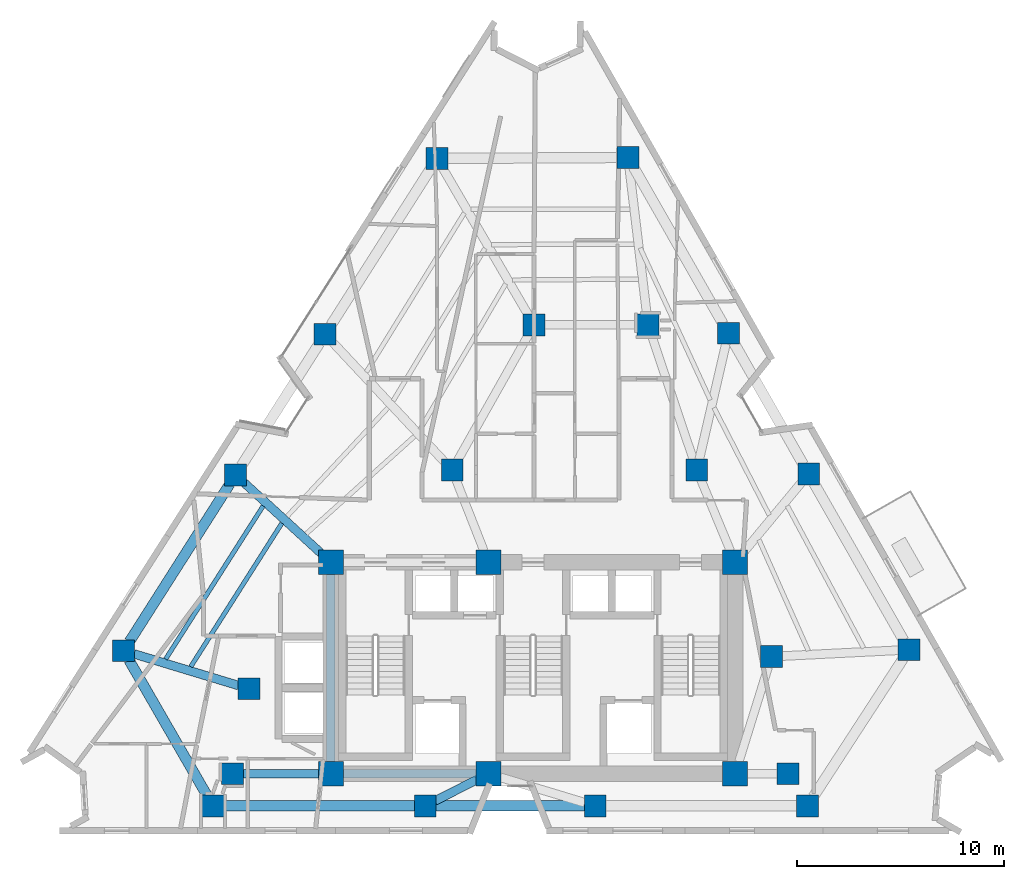
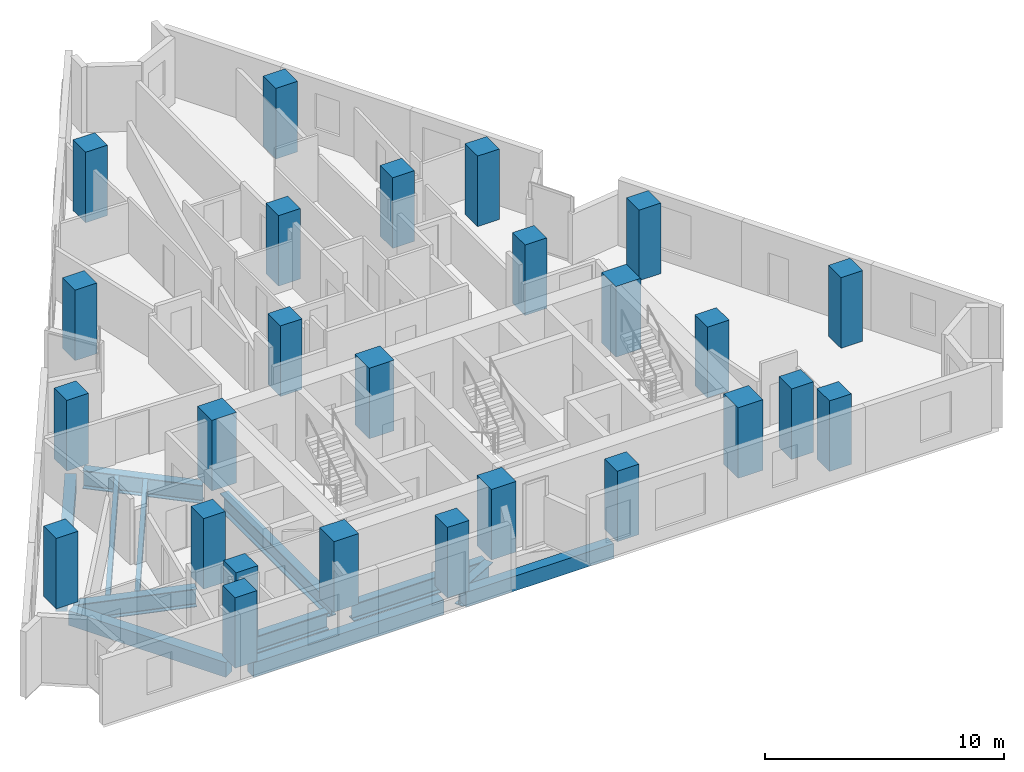
# One storey, part 1 of 11: 26 columns, 12 beams.
"""IFC4 building model written with IfcOpenShell, lengths in metres."""

from ifc_helpers import new_model, si_unit, direction, frame, origin, origin_2d, place, context, subcontext, project, spatial, rectangle, i_section, extrude, material, material_profile, profile_set, type_object, element, save


model = new_model("IFC4")

# Units and contexts
model_context = context("Model", 3, precision=1e-05, world=origin(), true_north=direction((0.0, 1.0)))
body_context = subcontext(model_context, "Body", "Model", "MODEL_VIEW")
ifc_project = project(units=[si_unit("LENGTHUNIT", "METRE"), si_unit("AREAUNIT", "SQUARE_METRE"), si_unit("VOLUMEUNIT", "CUBIC_METRE"), si_unit("PLANEANGLEUNIT", "RADIAN"), si_unit("MASSUNIT", "GRAM", prefix="KILO")], contexts=[model_context])

# Site, building, storey
site_placement = place(None, origin())
site = spatial("IfcSite", under=ifc_project, at=site_placement, CompositionType="ELEMENT")
building_placement = place(site_placement, origin())
building = spatial("IfcBuilding", under=site, at=building_placement, Name="Almagre Mirador Tower", CompositionType="ELEMENT")
storey_placement = place(building_placement, frame((0.0, 0.0, 146.39990234375)))
storey = spatial("IfcBuildingStorey", under=building, at=storey_placement, Name="L37", CompositionType="ELEMENT", Elevation=146.39990234375)

# Columns
ifc_material_1 = material(Name="Concrete C60/75", Category="concrete")
ifc_material_profile_1 = material_profile(ifc_material_1, rectangle(XDim=1.050048828125, YDim=1.050048828125, at=origin_2d()), Name="RC1050X1050")
ifc_profile_set_1 = profile_set([ifc_material_profile_1], Name="Concrete C60/75")
column_type_1 = type_object("IfcColumnType", Name="COL-RC1050", PredefinedType="COLUMN", material=ifc_profile_set_1)
for number, where, z_axis, x_axis, name in (
    (1, (22.800048828125, 4.550048828125, 0.0), (0.0, 0.0, 1.0), (1.0, 0.0, 0.0), "L37 interior transfer column MC1"),
    (2, (49.60009765625, 4.550048828125, 0.0), (0.0, 0.0, 1.0), (1.0, 0.0, 0.0), "L37 interior transfer column MC2"),
    (3, (48.800048828125, 10.199951171875, 0.0), (0.0, 0.0, 1.0), (1.0, 0.0, 0.0), "L37 interior transfer column MC3"),
    (4, (45.199951171875, 19.199951171875, 0.0), (0.0, 0.0, 1.0), (1.0, 0.0, 0.0), "L37 interior transfer column MC5"),
    (5, (42.85009765625, 26.199951171875, 0.0), (0.0, 0.0, 1.0), (1.0, 0.0, 0.0), "L37 interior transfer column MC6"),
    (6, (37.35009765625, 26.199951171875, 0.0), (0.0, 0.0, 1.0), (1.0, 0.0, 0.0), "L37 interior transfer column MC7"),
    (7, (33.39990234375, 19.199951171875, 0.0), (0.0, 0.0, 1.0), (1.0, 0.0, 0.0), "L37 interior transfer column MC8"),
    (8, (23.60009765625, 8.64990234375, 0.0), (0.0, 0.0, 1.0), (1.0, 0.0, 0.0), "L37 interior transfer column MC10"),
    (9, (21.864013671875, 3.0, 0.0), (0.0, 0.0, 1.0), (1.0, 0.0, 0.0), "L37 perimeter column PC01"),
    (10, (32.10400390625, 3.0, 0.0), (0.0, 0.0, 1.0), (1.0, 0.0, 0.0), "L37 perimeter column PC02"),
    (11, (40.2958984375, 3.0, 0.0), (0.0, 0.0, 1.0), (1.0, 0.0, 0.0), "L37 perimeter column PC03"),
    (12, (50.535888671875, 3.0, 0.0), (0.0, 0.0, 1.0), (1.0, 0.0, 0.0), "L37 perimeter column PC04"),
    (13, (55.43408203125, 10.532958984375, 0.0), (0.0, 0.0, 1.0), (1.0, 0.0, 0.0), "L37 perimeter column PC05"),
    (14, (50.593994140625, 19.012939453125, 0.0), (0.0, 0.0, 1.0), (1.0, 0.0, 0.0), "L37 perimeter column PC06"),
    (15, (46.721923828125, 25.797119140625, 0.0), (0.0, 0.0, 1.0), (1.0, 0.0, 0.0), "L37 perimeter column PC07"),
    (16, (41.882080078125, 34.277099609375, 0.0), (0.0, 0.0, 1.0), (1.0, 0.0, 0.0), "L37 perimeter column PC08"),
    (17, (32.672119140625, 34.22705078125, 0.0), (0.0, 0.0, 1.0), (1.0, 0.0, 0.0), "L37 perimeter column PC09"),
    (18, (27.27197265625, 25.7470703125, 0.0), (0.0, 0.0, 1.0), (1.0, 0.0, 0.0), "L37 perimeter column PC10"),
    (19, (22.951904296875, 18.962890625, 0.0), (0.0, 0.0, 1.0), (1.0, 0.0, 0.0), "L37 perimeter column PC11"),
    (20, (17.552001953125, 10.48291015625, 0.0), (0.0, 0.0, 1.0), (1.0, 0.0, 0.0), "L37 perimeter column PC12"),
):
    element("IfcColumn", number, at=place(storey_placement, frame(where, z_axis=z_axis, x_axis=x_axis)), inside=storey, type_object=column_type_1, Name=name, PredefinedType="COLUMN", context=body_context, shape_type="SweptSolid", body=[
        extrude(rectangle(XDim=1.050048828125, YDim=1.050048828125, at=origin_2d()), origin(), (0.0, 0.0, 1.0), 3.60009765625),
    ])
ifc_material_2 = material(Name="Concrete C60/75", Category="concrete")
ifc_material_profile_2 = material_profile(ifc_material_2, rectangle(XDim=1.199951171875, YDim=1.199951171875, at=origin_2d()), Name="RC1200X1200")
ifc_profile_set_2 = profile_set([ifc_material_profile_2], Name="Concrete C60/75")
column_type_2 = type_object("IfcColumnType", Name="COL-RC1200", PredefinedType="COLUMN", material=ifc_profile_set_2)
for number, where, z_axis, x_axis, name in (
    (21, (27.550048828125, 4.550048828125, 0.0), (0.0, 0.0, 1.0), (1.0, 0.0, 0.0), "L37 core spine column CC1"),
    (22, (35.14990234375, 4.550048828125, 0.0), (0.0, 0.0, 1.0), (1.0, 0.0, 0.0), "L37 core spine column CC2"),
    (23, (47.050048828125, 4.550048828125, 0.0), (0.0, 0.0, 1.0), (1.0, 0.0, 0.0), "L37 core spine column CC3"),
    (24, (27.550048828125, 14.75, 0.0), (0.0, 0.0, 1.0), (1.0, 0.0, 0.0), "L37 core spine column CC4"),
    (25, (35.14990234375, 14.75, 0.0), (0.0, 0.0, 1.0), (1.0, 0.0, 0.0), "L37 core spine column CC5"),
    (26, (47.050048828125, 14.75, 0.0), (0.0, 0.0, 1.0), (1.0, 0.0, 0.0), "L37 core spine column CC6"),
):
    element("IfcColumn", number, at=place(storey_placement, frame(where, z_axis=z_axis, x_axis=x_axis)), inside=storey, type_object=column_type_2, Name=name, PredefinedType="COLUMN", context=body_context, shape_type="SweptSolid", body=[
        extrude(rectangle(XDim=1.199951171875, YDim=1.199951171875, at=origin_2d()), origin(), (0.0, 0.0, 1.0), 3.60009765625),
    ])

# Beams
ifc_material_3 = material(Name="Steel ASTM A992 Grade 50", Category="steel")
ifc_material_profile_3 = material_profile(ifc_material_3, i_section(OverallWidth=0.214111328125, OverallDepth=0.549072265625, WebThickness=0.0146484375, FlangeThickness=0.023681640625, FilletRadius=0.01806640625, at=origin_2d()), Name="W21X93")
ifc_profile_set_3 = profile_set([ifc_material_profile_3], Name="Steel ASTM A992 Grade 50")
beam_type_1 = type_object("IfcBeamType", Name="BM-JST-W21X93", PredefinedType="JOIST", material=ifc_profile_set_3)
beam_1_placement = place(storey_placement, frame((24.281982421875, 17.465087890625, -0.5244140625), z_axis=(-0.537115418159, -0.843508759632, 0.0), x_axis=(0.843508759632, -0.537115418159, 0.0)))
element("IfcBeam", 27, at=beam_1_placement, inside=storey, type_object=beam_type_1, Name="L37 secondary floor joist PC11-PC12.1", PredefinedType="JOIST", context=body_context, shape_type="SweptSolid", body=[
    extrude(i_section(OverallWidth=0.214111328125, OverallDepth=0.549072265625, WebThickness=0.0146484375, FlangeThickness=0.023681640625, FilletRadius=0.01806640625, at=origin_2d()), origin(), (0.0, 0.0, 1.0), 8.75634765625),
])
beam_2_placement = place(storey_placement, frame((25.186767578125, 16.63623046875, -0.5244140625), z_axis=(-0.536170420984, -0.844109755696, 0.0), x_axis=(0.844109755696, -0.536170420984, 0.0)))
element("IfcBeam", 28, at=beam_2_placement, inside=storey, type_object=beam_type_1, Name="L37 secondary floor joist PC11-PC12.2", PredefinedType="JOIST", context=body_context, shape_type="SweptSolid", body=[
    extrude(i_section(OverallWidth=0.214111328125, OverallDepth=0.549072265625, WebThickness=0.0146484375, FlangeThickness=0.023681640625, FilletRadius=0.01806640625, at=origin_2d()), origin(), (0.0, 0.0, 1.0), 8.20263671875),
])
ifc_material_4 = material(Name="Precast concrete C50/60", Category="concrete")
ifc_material_profile_4 = material_profile(ifc_material_4, rectangle(XDim=0.5, YDim=0.75, at=origin_2d()), Name="RC500X750")
ifc_profile_set_4 = profile_set([ifc_material_profile_4], Name="Precast concrete C50/60")
beam_type_2 = type_object("IfcBeamType", Name="BM-SPN-RC500X750", PredefinedType="SPANDREL", material=ifc_profile_set_4)
beam_3_placement = place(storey_placement, frame((22.388916015625, 3.0, -0.625), z_axis=(1.0, 0.0, 0.0), x_axis=(0.0, 1.0, 0.0)))
element("IfcBeam", 29, at=beam_3_placement, inside=storey, type_object=beam_type_2, Name="L37 perimeter spandrel beam PC01-PC02", PredefinedType="SPANDREL", context=body_context, shape_type="SweptSolid", body=[
    extrude(rectangle(XDim=0.5, YDim=0.75, at=origin_2d()), origin(), (0.0, 0.0, 1.0), 9.190185546875),
])
beam_4_placement = place(storey_placement, frame((32.62890625, 3.0, -0.625), z_axis=(1.0, 0.0, 0.0), x_axis=(0.0, 1.0, 0.0)))
element("IfcBeam", 30, at=beam_4_placement, inside=storey, type_object=beam_type_2, Name="L37 perimeter spandrel beam PC02-PC03", PredefinedType="SPANDREL", context=body_context, shape_type="SweptSolid", body=[
    extrude(rectangle(XDim=0.5, YDim=0.75, at=origin_2d()), origin(), (0.0, 0.0, 1.0), 7.14208984375),
])
beam_5_placement = place(storey_placement, frame((22.669921875, 18.520263671875, -0.625), z_axis=(-0.53711935681, -0.84350625163, 0.0), x_axis=(0.84350625163, -0.53711935681, 0.0)))
element("IfcBeam", 31, at=beam_5_placement, inside=storey, type_object=beam_type_2, Name="L37 perimeter spandrel beam PC11-PC12", PredefinedType="SPANDREL", context=body_context, shape_type="SweptSolid", body=[
    extrude(rectangle(XDim=0.5, YDim=0.75, at=origin_2d()), origin(), (0.0, 0.0, 1.0), 9.00341796875),
])
beam_6_placement = place(storey_placement, frame((17.814208984375, 10.028076171875, -0.625), z_axis=(0.499261771352, -0.866451200972, 0.0), x_axis=(0.866451200972, 0.499261771352, 0.0)))
element("IfcBeam", 32, at=beam_6_placement, inside=storey, type_object=beam_type_2, Name="L37 perimeter spandrel beam PC12-PC01", PredefinedType="SPANDREL", context=body_context, shape_type="SweptSolid", body=[
    extrude(rectangle(XDim=0.5, YDim=0.75, at=origin_2d()), origin(), (0.0, 0.0, 1.0), 7.58642578125),
])
ifc_material_5 = material(Name="Steel ASTM A992 Grade 50", Category="steel")
ifc_material_profile_5 = material_profile(ifc_material_5, i_section(OverallWidth=0.404052734375, OverallDepth=0.884033203125, WebThickness=0.0244140625, FlangeThickness=0.0439453125, FilletRadius=0.02490234375, at=origin_2d()), Name="W33X291")
ifc_profile_set_5 = profile_set([ifc_material_profile_5], Name="Steel ASTM A992 Grade 50")
beam_type_3 = type_object("IfcBeamType", Name="BM-STL-W33X291", PredefinedType="BEAM", material=ifc_profile_set_5)
beam_7_placement = place(storey_placement, frame((28.14990234375, 4.550048828125, -0.69189453125), z_axis=(1.0, 0.0, 0.0), x_axis=(0.0, 1.0, 0.0)))
element("IfcBeam", 33, at=beam_7_placement, inside=storey, type_object=beam_type_3, Name="L37 core tie girder CC1-CC2", PredefinedType="BEAM", context=body_context, shape_type="SweptSolid", body=[
    extrude(i_section(OverallWidth=0.404052734375, OverallDepth=0.884033203125, WebThickness=0.0244140625, FlangeThickness=0.0439453125, FilletRadius=0.02490234375, at=origin_2d()), origin(), (0.0, 0.0, 1.0), 6.400146484375),
])
beam_8_placement = place(storey_placement, frame((27.550048828125, 5.14990234375, -0.69189453125), z_axis=(0.0, 1.0, 0.0), x_axis=(-1.0, 0.0, 0.0)))
element("IfcBeam", 34, at=beam_8_placement, inside=storey, type_object=beam_type_3, Name="L37 core tie girder CC1-CC4", PredefinedType="BEAM", context=body_context, shape_type="SweptSolid", body=[
    extrude(i_section(OverallWidth=0.404052734375, OverallDepth=0.884033203125, WebThickness=0.0244140625, FlangeThickness=0.0439453125, FilletRadius=0.02490234375, at=origin_2d()), origin(), (0.0, 0.0, 1.0), 9.0),
])
beam_9_placement = place(storey_placement, frame((23.324951171875, 4.550048828125, -0.69189453125), z_axis=(1.0, 0.0, 0.0), x_axis=(0.0, 1.0, 0.0)))
element("IfcBeam", 35, at=beam_9_placement, inside=storey, type_object=beam_type_3, Name="L37 core tie girder MC1-CC1", PredefinedType="BEAM", context=body_context, shape_type="SweptSolid", body=[
    extrude(i_section(OverallWidth=0.404052734375, OverallDepth=0.884033203125, WebThickness=0.0244140625, FlangeThickness=0.0439453125, FilletRadius=0.02490234375, at=origin_2d()), origin(), (0.0, 0.0, 1.0), 3.625),
])
ifc_material_6 = material(Name="Steel ASTM A992 Grade 50", Category="steel")
ifc_material_profile_6 = material_profile(ifc_material_6, i_section(OverallWidth=0.41796875, OverallDepth=0.927001953125, WebThickness=0.019287109375, FlangeThickness=0.031982421875, FilletRadius=0.028076171875, at=origin_2d()), Name="W36X231")
ifc_profile_set_6 = profile_set([ifc_material_profile_6], Name="Steel ASTM A992 Grade 50")
beam_type_4 = type_object("IfcBeamType", Name="BM-STL-W36X231", PredefinedType="BEAM", material=ifc_profile_set_6)
beam_10_placement = place(storey_placement, frame((32.572021484375, 3.238037109375, -0.71337890625), z_axis=(0.891231211208, 0.453549256606, 0.0), x_axis=(-0.453549256606, 0.891231211208, 0.0)))
element("IfcBeam", 36, at=beam_10_placement, inside=storey, type_object=beam_type_4, Name="L37 radial floor girder PC02-CC2", PredefinedType="BEAM", context=body_context, shape_type="SweptSolid", body=[
    extrude(i_section(OverallWidth=0.41796875, OverallDepth=0.927001953125, WebThickness=0.019287109375, FlangeThickness=0.031982421875, FilletRadius=0.028076171875, at=origin_2d()), origin(), (0.0, 0.0, 1.0), 2.29248046875),
])
beam_11_placement = place(storey_placement, frame((23.339111328125, 18.6083984375, -0.71337890625), z_axis=(0.73728894688, -0.675577537229, 0.0), x_axis=(0.675577537229, 0.73728894688, 0.0)))
element("IfcBeam", 37, at=beam_11_placement, inside=storey, type_object=beam_type_4, Name="L37 radial floor girder PC11-CC4", PredefinedType="BEAM", context=body_context, shape_type="SweptSolid", body=[
    extrude(i_section(OverallWidth=0.41796875, OverallDepth=0.927001953125, WebThickness=0.019287109375, FlangeThickness=0.031982421875, FilletRadius=0.028076171875, at=origin_2d()), origin(), (0.0, 0.0, 1.0), 5.111328125),
])
beam_12_placement = place(storey_placement, frame((18.054443359375, 10.330810546875, -0.71337890625), z_axis=(0.957007648209, -0.290062685068, 0.0), x_axis=(0.290062685068, 0.957007648209, 0.0)))
element("IfcBeam", 38, at=beam_12_placement, inside=storey, type_object=beam_type_4, Name="L37 radial floor girder PC12-MC10", PredefinedType="BEAM", context=body_context, shape_type="SweptSolid", body=[
    extrude(i_section(OverallWidth=0.41796875, OverallDepth=0.927001953125, WebThickness=0.019287109375, FlangeThickness=0.031982421875, FilletRadius=0.028076171875, at=origin_2d()), origin(), (0.0, 0.0, 1.0), 5.269775390625),
])

save(model, "model.ifc")
